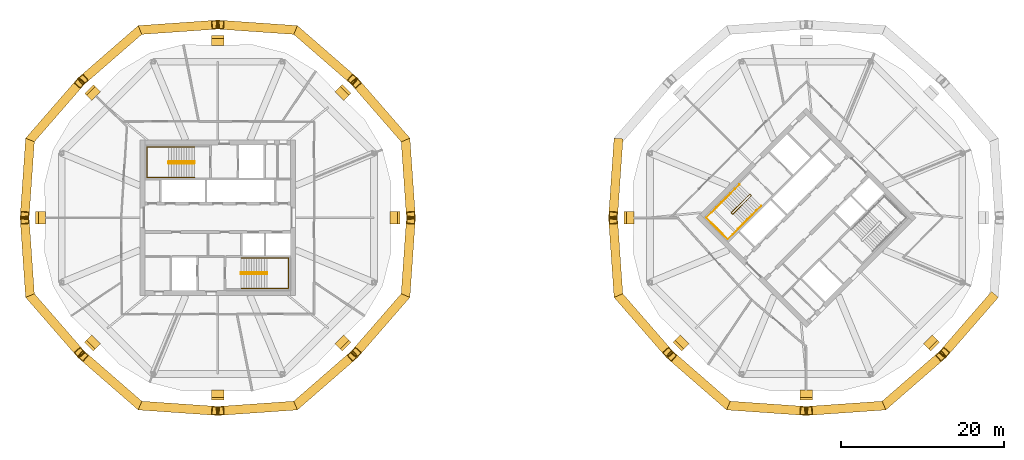
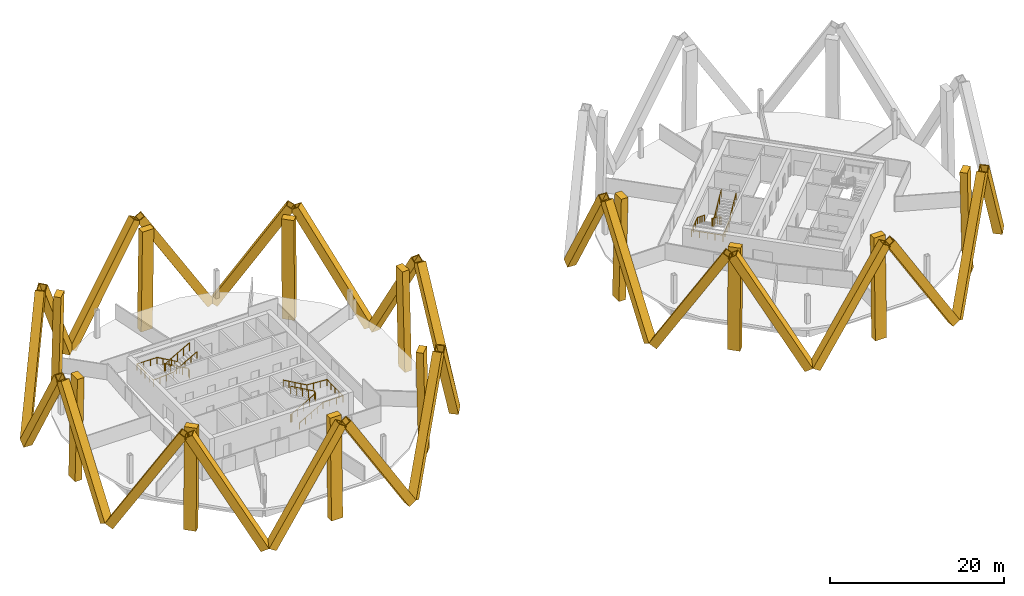
# One storey, part 9 of 10: 36 coverings, 6 railings.
"""IFC4 building model written with IfcOpenShell, lengths in metres."""

from ifc_helpers import new_model, si_unit, direction, frame, origin, origin_2d, place, context, subcontext, project, spatial, rectangle, hollow_rectangle, circle, extrude, material, material_profile, profile_set, type_object, element, save


model = new_model("IFC4")

# Units and contexts
model_context = context("Model", 3, precision=1e-05, world=origin(), true_north=direction((0.0, 1.0)))
body_context = subcontext(model_context, "Body", "Model", "MODEL_VIEW")
ifc_project = project(units=[si_unit("LENGTHUNIT", "METRE"), si_unit("AREAUNIT", "SQUARE_METRE"), si_unit("VOLUMEUNIT", "CUBIC_METRE"), si_unit("PLANEANGLEUNIT", "RADIAN"), si_unit("MASSUNIT", "GRAM", prefix="KILO")], contexts=[model_context])

# Site, building, storey
site_placement = place(None, origin())
site = spatial("IfcSite", under=ifc_project, at=site_placement, CompositionType="ELEMENT")
building_placement = place(site_placement, origin())
building = spatial("IfcBuilding", under=site, at=building_placement, Name="Ogive Gate Towers", CompositionType="ELEMENT")
storey_placement = place(building_placement, frame((0.0, 0.0, 204.60009765625)))
storey = spatial("IfcBuildingStorey", under=building, at=storey_placement, Name="L49", CompositionType="ELEMENT", Elevation=204.60009765625)

# Coverings
ifc_material_1 = material(Name="Pale metal aluminium", Category="aluminium")
ifc_material_profile_1 = material_profile(ifc_material_1, rectangle(XDim=1.5, YDim=0.89990234375, at=origin_2d()), Name="1500 x 900 pale metal aluminium")
ifc_profile_set_1 = profile_set([ifc_material_profile_1], Name="Pale metal aluminium")
covering_type_1 = type_object("IfcCoveringType", Name="Crease colonnette 1500 x 900", PredefinedType="CLADDING", material=ifc_profile_set_1)
for number, where, z_axis, x_axis, name in (
    (1, (-14.169921875, 0.0, -3.2001953125), (-0.022533991944, 0.0, 0.999746077365), (0.0, -1.0, 0.0), "Crease colonnette"),
    (2, (-20.563720703125, 15.436279296875, -3.2001953125), (-0.015933646626, -0.015933646626, 0.999746086669), (0.707106781187, -0.707106781187, 0.0), "Crease colonnette"),
    (3, (-36.0, 21.830078125, -3.2001953125), (0.0, -0.022533991944, 0.999746077365), (1.0, 0.0, 0.0), "Crease colonnette"),
    (4, (-51.436279296875, 15.436279296875, -3.2001953125), (0.015933646626, -0.015933646626, 0.999746086669), (0.707106781187, 0.707106781187, 0.0), "Crease colonnette"),
    (5, (-57.830078125, 0.0, -3.2001953125), (0.022533991944, 0.0, 0.999746077365), (0.0, 1.0, 0.0), "Crease colonnette"),
    (6, (-51.436279296875, -15.436279296875, -3.2001953125), (0.015933646626, 0.015933646626, 0.999746086669), (-0.707106781187, 0.707106781187, 0.0), "Crease colonnette"),
    (7, (-36.0, -21.830078125, -3.2001953125), (0.0, 0.022533991944, 0.999746077365), (-1.0, 0.0, 0.0), "Crease colonnette"),
    (8, (-20.563720703125, -15.436279296875, -3.2001953125), (-0.015933646626, 0.015933646626, 0.999746086669), (-0.707106781187, -0.707106781187, 0.0), "Crease colonnette"),
    (9, (14.169921875, 0.0, -3.2001953125), (0.022533991944, 0.0, 0.999746077365), (0.0, 1.0, 0.0), "Crease colonnette"),
    (10, (20.563720703125, -15.436279296875, -3.2001953125), (0.015933646626, 0.015933646626, 0.999746086669), (-0.707106781187, 0.707106781187, 0.0), "Crease colonnette"),
    (11, (36.0, -21.830078125, -3.2001953125), (0.0, 0.022533991944, 0.999746077365), (-1.0, 0.0, 0.0), "Crease colonnette"),
    (12, (51.436279296875, -15.436279296875, -3.2001953125), (-0.015933646626, 0.015933646626, 0.999746086669), (-0.707106781187, -0.707106781187, 0.0), "Crease colonnette"),
):
    element("IfcCovering", number, at=place(storey_placement, frame(where, z_axis=z_axis, x_axis=x_axis)), inside=storey, type_object=covering_type_1, Name=name, PredefinedType="CLADDING", context=body_context, shape_type="SweptSolid", body=[
        extrude(rectangle(XDim=1.5, YDim=0.89990234375, at=origin_2d()), origin(), (0.0, 0.0, 1.0), 14.203857421875),
    ])
ifc_material_2 = material(Name="Pale metal aluminium cladding", Category="aluminium")
ifc_material_profile_2 = material_profile(ifc_material_2, hollow_rectangle(XDim=1.10009765625, YDim=1.10009765625, WallThickness=0.10009765625, at=origin_2d()), Name="1100 x 1100 pale metal casing")
ifc_profile_set_2 = profile_set([ifc_material_profile_2], Name="Pale metal aluminium cladding")
covering_type_2 = type_object("IfcCoveringType", Name="Diagrid casing 1100 x 1100", PredefinedType="CLADDING", material=ifc_profile_set_2)
for number, where, z_axis, x_axis, name in (
    (13, (-13.003173828125, 9.23095703125, -3.430908203125), (0.03626745924, -0.520458638528, 0.853116332619), (0.997580900704, 0.069515081461, 0.0), "Diagrid casing"),
    (14, (-13.21142578125, 9.73388671875, -3.430908203125), (-0.342386132428, 0.393668762005, 0.853109982442), (-0.754543383753, -0.656250167264, 0.0), "Diagrid casing"),
    (15, (-26.26611328125, 22.78857421875, -3.430908203125), (0.393668762005, -0.342386132428, 0.853109982442), (0.656250167264, 0.754543383753, 0.0), "Diagrid casing"),
    (16, (-26.76904296875, 22.996826171875, -3.430908203125), (-0.520458638528, 0.03626745924, 0.853116332619), (-0.069515081461, -0.997580900704, 0.0), "Diagrid casing"),
    (17, (-45.23095703125, 22.996826171875, -3.430908203125), (0.520458638528, 0.03626745924, 0.853116332619), (-0.069515081461, 0.997580900704, 0.0), "Diagrid casing"),
    (18, (-45.73388671875, 22.78857421875, -3.430908203125), (-0.393668762005, -0.342386132428, 0.853109982442), (0.656250167264, -0.754543383753, 0.0), "Diagrid casing"),
    (19, (-58.78857421875, 9.73388671875, -3.430908203125), (0.342386132428, 0.393668762005, 0.853109982442), (-0.754543383753, 0.656250167264, 0.0), "Diagrid casing"),
    (20, (-58.996826171875, 9.23095703125, -3.430908203125), (-0.03626745924, -0.520458638528, 0.853116332619), (0.997580900704, -0.069515081461, 0.0), "Diagrid casing"),
    (21, (-58.996826171875, -9.23095703125, -3.430908203125), (-0.03626745924, 0.520458638528, 0.853116332619), (-0.997580900704, -0.069515081461, 0.0), "Diagrid casing"),
    (22, (-58.78857421875, -9.73388671875, -3.430908203125), (0.342386132428, -0.393668762005, 0.853109982442), (0.754543383753, 0.656250167264, 0.0), "Diagrid casing"),
    (23, (-45.73388671875, -22.78857421875, -3.430908203125), (-0.393668762005, 0.342386132428, 0.853109982442), (-0.656250167264, -0.754543383753, 0.0), "Diagrid casing"),
    (24, (-45.23095703125, -22.996826171875, -3.430908203125), (0.520458638528, -0.03626745924, 0.853116332619), (0.069515081461, 0.997580900704, 0.0), "Diagrid casing"),
    (25, (-26.76904296875, -22.996826171875, -3.430908203125), (-0.520458638528, -0.03626745924, 0.853116332619), (0.069515081461, -0.997580900704, 0.0), "Diagrid casing"),
    (26, (-26.26611328125, -22.78857421875, -3.430908203125), (0.393668762005, 0.342386132428, 0.853109982442), (-0.656250167264, 0.754543383753, 0.0), "Diagrid casing"),
    (27, (-13.21142578125, -9.73388671875, -3.430908203125), (-0.342386132428, -0.393668762005, 0.853109982442), (0.754543383753, -0.656250167264, 0.0), "Diagrid casing"),
    (28, (-13.003173828125, -9.23095703125, -3.430908203125), (0.03626745924, 0.520458638528, 0.853116332619), (-0.997580900704, 0.069515081461, 0.0), "Diagrid casing"),
    (29, (13.003173828125, 9.23095703125, -3.430908203125), (-0.03626745924, -0.520458638528, 0.853116332619), (0.997580900704, -0.069515081461, 0.0), "Diagrid casing"),
    (30, (13.003173828125, -9.23095703125, -3.430908203125), (-0.03626745924, 0.520458638528, 0.853116332619), (-0.997580900704, -0.069515081461, 0.0), "Diagrid casing"),
    (31, (13.21142578125, -9.73388671875, -3.430908203125), (0.342386132428, -0.393668762005, 0.853109982442), (0.754543383753, 0.656250167264, 0.0), "Diagrid casing"),
    (32, (26.26611328125, -22.78857421875, -3.430908203125), (-0.393668762005, 0.342386132428, 0.853109982442), (-0.656250167264, -0.754543383753, 0.0), "Diagrid casing"),
    (33, (26.76904296875, -22.996826171875, -3.430908203125), (0.520458638528, -0.03626745924, 0.853116332619), (0.069515081461, 0.997580900704, 0.0), "Diagrid casing"),
    (34, (45.23095703125, -22.996826171875, -3.430908203125), (-0.520458638528, -0.03626745924, 0.853116332619), (0.069515081461, -0.997580900704, 0.0), "Diagrid casing"),
    (35, (45.73388671875, -22.78857421875, -3.430908203125), (0.393668762005, 0.342386132428, 0.853109982442), (-0.656250167264, 0.754543383753, 0.0), "Diagrid casing"),
    (36, (58.78857421875, -9.73388671875, -3.430908203125), (-0.342386132428, -0.393668762005, 0.853109982442), (0.754543383753, -0.656250167264, 0.0), "Diagrid casing"),
):
    element("IfcCovering", number, at=place(storey_placement, frame(where, z_axis=z_axis, x_axis=x_axis)), inside=storey, type_object=covering_type_2, Name=name, PredefinedType="CLADDING", context=body_context, shape_type="SweptSolid", body=[
        extrude(hollow_rectangle(XDim=1.10009765625, YDim=1.10009765625, WallThickness=0.10009765625, at=origin_2d()), origin(), (0.0, 0.0, 1.0), 17.18603515625),
    ])

# Railings
ifc_material_3 = material(Name="Stainless steel", Category="steel")
railing_type_1 = type_object("IfcRailingType", Name="Stair guard 1100", PredefinedType="GUARDRAIL", material=ifc_material_3)
railing_1_placement = place(storey_placement, frame((-38.81494140625, 6.860107421875, 0.0)))
element("IfcRailing", 37, at=railing_1_placement, inside=storey, type_object=railing_type_1, Name="L49 ST1 stair guard 1", PredefinedType="GUARDRAIL", context=body_context, shape_type="SweptSolid", body=[
    extrude(circle(Radius=0.02392578125, at=origin_2d()), frame((0.0, 0.0, 1.076171875), z_axis=(0.0, -1.0, 0.0), x_axis=(1.0, 0.0, 0.0)), (0.0, 0.0, 1.0), 0.14501953125),
    extrude(circle(Radius=0.02392578125, at=origin_2d()), frame((0.0, -0.14501953125, 1.076171875), z_axis=(-0.186679794065, 0.726685247142, 0.661119660934), x_axis=(-0.968551454522, -0.24881334358, 0.0)), (0.0, 0.0, 1.0), 0.26806640625),
    extrude(circle(Radius=0.02392578125, at=origin_2d()), frame((-0.050048828125, 0.0498046875, 1.25341796875), z_axis=(-0.870572935281, 0.0, 0.492039393094), x_axis=(0.0, -1.0, 0.0)), (0.0, 0.0, 1.0), 3.602783203125),
    extrude(circle(Radius=0.02392578125, at=origin_2d()), frame((-3.1865234375, 0.0498046875, 3.02587890625), z_axis=(-0.707106781187, -0.707106781187, 0.0), x_axis=(0.707106781187, -0.707106781187, 0.0)), (0.0, 0.0, 1.0), 0.0703125),
    extrude(circle(Radius=0.02392578125, at=origin_2d()), frame((-3.236328125, 0.0, 3.02587890625), z_axis=(0.0, -1.0, 0.0), x_axis=(1.0, 0.0, 0.0)), (0.0, 0.0, 1.0), 0.14501953125),
    extrude(circle(Radius=0.02392578125, at=origin_2d()), frame((-3.236328125, -0.14501953125, 3.02587890625), z_axis=(0.261041864531, -0.262321481514, 0.929001929653), x_axis=(0.708833529934, 0.705375805398, 0.0)), (0.0, 0.0, 1.0), 0.190673828125),
    extrude(circle(Radius=0.02392578125, at=origin_2d()), frame((-3.1865234375, -0.195068359375, 3.203125), z_axis=(0.870572935281, 0.0, 0.492039393094), x_axis=(0.0, 1.0, 0.0)), (0.0, 0.0, 1.0), 3.602783203125),
    extrude(circle(Radius=0.02099609375, at=origin_2d()), origin(), (0.0, 0.0, 1.0), 1.052001953125),
    extrude(circle(Radius=0.02099609375, at=origin_2d()), frame((0.0, -0.14501953125, 0.0)), (0.0, 0.0, 1.0), 1.052001953125),
    extrude(circle(Radius=0.02099609375, at=origin_2d()), frame((-0.050048828125, 0.0498046875, 0.17724609375)), (0.0, 0.0, 1.0), 1.052001953125),
    extrude(circle(Radius=0.02099609375, at=origin_2d()), frame((-0.834228515625, 0.0498046875, 0.620361328125)), (0.0, 0.0, 1.0), 1.052001953125),
    extrude(circle(Radius=0.02099609375, at=origin_2d()), frame((-1.6181640625, 0.0498046875, 1.0634765625)), (0.0, 0.0, 1.0), 1.052001953125),
    extrude(circle(Radius=0.02099609375, at=origin_2d()), frame((-2.40234375, 0.0498046875, 1.5068359375)), (0.0, 0.0, 1.0), 1.052001953125),
    extrude(circle(Radius=0.02099609375, at=origin_2d()), frame((-3.1865234375, 0.0498046875, 1.949951171875)), (0.0, 0.0, 1.0), 1.052001953125),
    extrude(circle(Radius=0.02099609375, at=origin_2d()), frame((-3.236328125, 0.0, 1.949951171875)), (0.0, 0.0, 1.0), 1.052001953125),
    extrude(circle(Radius=0.02099609375, at=origin_2d()), frame((-3.236328125, -0.14501953125, 1.949951171875)), (0.0, 0.0, 1.0), 1.052001953125),
    extrude(circle(Radius=0.02099609375, at=origin_2d()), frame((-3.1865234375, -0.195068359375, 2.127197265625)), (0.0, 0.0, 1.0), 1.052001953125),
    extrude(circle(Radius=0.02099609375, at=origin_2d()), frame((-2.40234375, -0.195068359375, 2.5703125)), (0.0, 0.0, 1.0), 1.052001953125),
    extrude(circle(Radius=0.02099609375, at=origin_2d()), frame((-1.6181640625, -0.195068359375, 3.013671875)), (0.0, 0.0, 1.0), 1.052001953125),
    extrude(circle(Radius=0.02099609375, at=origin_2d()), frame((-0.834228515625, -0.195068359375, 3.456787109375)), (0.0, 0.0, 1.0), 1.052001953125),
    extrude(circle(Radius=0.02099609375, at=origin_2d()), frame((-0.050048828125, -0.195068359375, 3.89990234375)), (0.0, 0.0, 1.0), 1.052001953125),
])
railing_2_placement = place(storey_placement, frame((-33.18505859375, -6.860107421875, 0.0)))
element("IfcRailing", 38, at=railing_2_placement, inside=storey, type_object=railing_type_1, Name="L49 ST2 stair guard 1", PredefinedType="GUARDRAIL", context=body_context, shape_type="SweptSolid", body=[
    extrude(circle(Radius=0.02392578125, at=origin_2d()), frame((0.0, 0.0, 1.076171875), z_axis=(0.0, 1.0, 0.0), x_axis=(-1.0, 0.0, 0.0)), (0.0, 0.0, 1.0), 0.14501953125),
    extrude(circle(Radius=0.02392578125, at=origin_2d()), frame((0.0, 0.14501953125, 1.076171875), z_axis=(0.186679794065, -0.726685247142, 0.661119660934), x_axis=(0.968551454522, 0.24881334358, 0.0)), (0.0, 0.0, 1.0), 0.26806640625),
    extrude(circle(Radius=0.02392578125, at=origin_2d()), frame((0.050048828125, -0.0498046875, 1.25341796875), z_axis=(0.870572935281, 0.0, 0.492039393094), x_axis=(0.0, 1.0, 0.0)), (0.0, 0.0, 1.0), 3.602783203125),
    extrude(circle(Radius=0.02392578125, at=origin_2d()), frame((3.1865234375, -0.0498046875, 3.02587890625), z_axis=(0.707106781187, 0.707106781187, 0.0), x_axis=(-0.707106781187, 0.707106781187, 0.0)), (0.0, 0.0, 1.0), 0.0703125),
    extrude(circle(Radius=0.02392578125, at=origin_2d()), frame((3.236328125, 0.0, 3.02587890625), z_axis=(0.0, 1.0, 0.0), x_axis=(-1.0, 0.0, 0.0)), (0.0, 0.0, 1.0), 0.14501953125),
    extrude(circle(Radius=0.02392578125, at=origin_2d()), frame((3.236328125, 0.14501953125, 3.02587890625), z_axis=(-0.261041864531, 0.262321481514, 0.929001929653), x_axis=(-0.708833529934, -0.705375805398, 0.0)), (0.0, 0.0, 1.0), 0.190673828125),
    extrude(circle(Radius=0.02392578125, at=origin_2d()), frame((3.1865234375, 0.195068359375, 3.203125), z_axis=(-0.870572935281, 0.0, 0.492039393094), x_axis=(0.0, -1.0, 0.0)), (0.0, 0.0, 1.0), 3.602783203125),
    extrude(circle(Radius=0.02099609375, at=origin_2d()), origin(), (0.0, 0.0, 1.0), 1.052001953125),
    extrude(circle(Radius=0.02099609375, at=origin_2d()), frame((0.0, 0.14501953125, 0.0)), (0.0, 0.0, 1.0), 1.052001953125),
    extrude(circle(Radius=0.02099609375, at=origin_2d()), frame((0.050048828125, -0.0498046875, 0.17724609375)), (0.0, 0.0, 1.0), 1.052001953125),
    extrude(circle(Radius=0.02099609375, at=origin_2d()), frame((0.834228515625, -0.0498046875, 0.620361328125)), (0.0, 0.0, 1.0), 1.052001953125),
    extrude(circle(Radius=0.02099609375, at=origin_2d()), frame((1.6181640625, -0.0498046875, 1.0634765625)), (0.0, 0.0, 1.0), 1.052001953125),
    extrude(circle(Radius=0.02099609375, at=origin_2d()), frame((2.40234375, -0.0498046875, 1.5068359375)), (0.0, 0.0, 1.0), 1.052001953125),
    extrude(circle(Radius=0.02099609375, at=origin_2d()), frame((3.1865234375, -0.0498046875, 1.949951171875)), (0.0, 0.0, 1.0), 1.052001953125),
    extrude(circle(Radius=0.02099609375, at=origin_2d()), frame((3.236328125, 0.0, 1.949951171875)), (0.0, 0.0, 1.0), 1.052001953125),
    extrude(circle(Radius=0.02099609375, at=origin_2d()), frame((3.236328125, 0.14501953125, 1.949951171875)), (0.0, 0.0, 1.0), 1.052001953125),
    extrude(circle(Radius=0.02099609375, at=origin_2d()), frame((3.1865234375, 0.195068359375, 2.127197265625)), (0.0, 0.0, 1.0), 1.052001953125),
    extrude(circle(Radius=0.02099609375, at=origin_2d()), frame((2.40234375, 0.195068359375, 2.5703125)), (0.0, 0.0, 1.0), 1.052001953125),
    extrude(circle(Radius=0.02099609375, at=origin_2d()), frame((1.6181640625, 0.195068359375, 3.013671875)), (0.0, 0.0, 1.0), 1.052001953125),
    extrude(circle(Radius=0.02099609375, at=origin_2d()), frame((0.834228515625, 0.195068359375, 3.456787109375)), (0.0, 0.0, 1.0), 1.052001953125),
    extrude(circle(Radius=0.02099609375, at=origin_2d()), frame((0.050048828125, 0.195068359375, 3.89990234375)), (0.0, 0.0, 1.0), 1.052001953125),
])
railing_3_placement = place(storey_placement, frame((29.15869140625, 2.8603515625, 0.0)))
element("IfcRailing", 39, at=railing_3_placement, inside=storey, type_object=railing_type_1, Name="L49 ST1 stair guard 1", PredefinedType="GUARDRAIL", context=body_context, shape_type="SweptSolid", body=[
    extrude(circle(Radius=0.02392578125, at=origin_2d()), frame((0.0, 0.0, 1.076171875), z_axis=(0.707106781187, -0.707106781187, 0.0), x_axis=(0.707106781187, 0.707106781187, 0.0)), (0.0, 0.0, 1.0), 0.14501953125),
    extrude(circle(Radius=0.02392578125, at=origin_2d()), frame((0.1025390625, -0.1025390625, 1.076171875), z_axis=(-0.645571447971, 0.382425963537, 0.661050594114), x_axis=(-0.509669330572, -0.860370369942, 0.0)), (0.0, 0.0, 1.0), 0.26806640625),
    extrude(circle(Radius=0.02392578125, at=origin_2d()), frame((-0.070556640625, 0.0, 1.25341796875), z_axis=(-0.61558473135, -0.61558473135, 0.49204763698), x_axis=(0.707106781187, -0.707106781187, 0.0)), (0.0, 0.0, 1.0), 3.602783203125),
    extrude(circle(Radius=0.02392578125, at=origin_2d()), frame((-2.288330078125, -2.2177734375, 3.02587890625), z_axis=(0.0, -1.0, 0.0), x_axis=(1.0, 0.0, 0.0)), (0.0, 0.0, 1.0), 0.07080078125),
    extrude(circle(Radius=0.02392578125, at=origin_2d()), frame((-2.288330078125, -2.28857421875, 3.02587890625), z_axis=(0.707106781187, -0.707106781187, 0.0), x_axis=(0.707106781187, 0.707106781187, 0.0)), (0.0, 0.0, 1.0), 0.14501953125),
    extrude(circle(Radius=0.02392578125, at=origin_2d()), frame((-2.185791015625, -2.39111328125, 3.02587890625), z_axis=(0.369845645421, 0.0, 0.929093213065), x_axis=(0.0, 1.0, 0.0)), (0.0, 0.0, 1.0), 0.190673828125),
    extrude(circle(Radius=0.02392578125, at=origin_2d()), frame((-2.115234375, -2.39111328125, 3.203125), z_axis=(0.61558473135, 0.61558473135, 0.49204763698), x_axis=(-0.707106781187, 0.707106781187, 0.0)), (0.0, 0.0, 1.0), 3.602783203125),
    extrude(circle(Radius=0.02099609375, at=origin_2d()), origin(), (0.0, 0.0, 1.0), 1.052001953125),
    extrude(circle(Radius=0.02099609375, at=origin_2d()), frame((0.1025390625, -0.1025390625, 0.0)), (0.0, 0.0, 1.0), 1.052001953125),
    extrude(circle(Radius=0.02099609375, at=origin_2d()), frame((-0.070556640625, 0.0, 0.17724609375)), (0.0, 0.0, 1.0), 1.052001953125),
    extrude(circle(Radius=0.02099609375, at=origin_2d()), frame((-0.625, -0.554443359375, 0.620361328125)), (0.0, 0.0, 1.0), 1.052001953125),
    extrude(circle(Radius=0.02099609375, at=origin_2d()), frame((-1.179443359375, -1.10888671875, 1.0634765625)), (0.0, 0.0, 1.0), 1.052001953125),
    extrude(circle(Radius=0.02099609375, at=origin_2d()), frame((-1.73388671875, -1.663330078125, 1.5068359375)), (0.0, 0.0, 1.0), 1.052001953125),
    extrude(circle(Radius=0.02099609375, at=origin_2d()), frame((-2.288330078125, -2.2177734375, 1.949951171875)), (0.0, 0.0, 1.0), 1.052001953125),
    extrude(circle(Radius=0.02099609375, at=origin_2d()), frame((-2.288330078125, -2.28857421875, 1.949951171875)), (0.0, 0.0, 1.0), 1.052001953125),
    extrude(circle(Radius=0.02099609375, at=origin_2d()), frame((-2.185791015625, -2.39111328125, 1.949951171875)), (0.0, 0.0, 1.0), 1.052001953125),
    extrude(circle(Radius=0.02099609375, at=origin_2d()), frame((-2.115234375, -2.39111328125, 2.127197265625)), (0.0, 0.0, 1.0), 1.052001953125),
    extrude(circle(Radius=0.02099609375, at=origin_2d()), frame((-1.560791015625, -1.836669921875, 2.5703125)), (0.0, 0.0, 1.0), 1.052001953125),
    extrude(circle(Radius=0.02099609375, at=origin_2d()), frame((-1.00634765625, -1.2822265625, 3.013671875)), (0.0, 0.0, 1.0), 1.052001953125),
    extrude(circle(Radius=0.02099609375, at=origin_2d()), frame((-0.451904296875, -0.727783203125, 3.456787109375)), (0.0, 0.0, 1.0), 1.052001953125),
    extrude(circle(Radius=0.02099609375, at=origin_2d()), frame((0.1025390625, -0.17333984375, 3.89990234375)), (0.0, 0.0, 1.0), 1.052001953125),
])
railing_type_2 = type_object("IfcRailingType", Name="Stair handrail 900", PredefinedType="HANDRAIL", material=ifc_material_3)
railing_4_placement = place(storey_placement, frame((-38.864990234375, 8.64990234375, 0.17724609375)))
element("IfcRailing", 40, at=railing_4_placement, inside=storey, type_object=railing_type_2, Name="L49 ST1 stair handrail 1", PredefinedType="HANDRAIL", context=body_context, shape_type="SweptSolid", body=[
    extrude(circle(Radius=0.02392578125, at=origin_2d()), frame((0.0, 0.0, 0.8759765625), z_axis=(-0.870572935281, 0.0, 0.492039393094), x_axis=(0.0, -1.0, 0.0)), (0.0, 0.0, 1.0), 3.602783203125),
    extrude(circle(Radius=0.02392578125, at=origin_2d()), frame((-3.136474609375, 0.0, 2.6484375), z_axis=(-1.0, 0.0, 0.0), x_axis=(0.0, -1.0, 0.0)), (0.0, 0.0, 1.0), 2.6484375),
    extrude(circle(Radius=0.02392578125, at=origin_2d()), frame((-5.784912109375, 0.0, 2.6484375), z_axis=(0.0, -1.0, 0.0), x_axis=(1.0, 0.0, 0.0)), (0.0, 0.0, 1.0), 3.724853515625),
    extrude(circle(Radius=0.02392578125, at=origin_2d()), frame((-5.784912109375, -3.724853515625, 2.6484375), z_axis=(0.997768031817, 0.0, 0.066775404784), x_axis=(0.0, 1.0, 0.0)), (0.0, 0.0, 1.0), 2.654296875),
    extrude(circle(Radius=0.02392578125, at=origin_2d()), frame((-3.136474609375, -3.724853515625, 2.82568359375), z_axis=(0.870572935281, 0.0, 0.492039393094), x_axis=(0.0, 1.0, 0.0)), (0.0, 0.0, 1.0), 3.602783203125),
    extrude(circle(Radius=0.02099609375, at=origin_2d()), origin(), (0.0, 0.0, 1.0), 0.851806640625),
    extrude(circle(Radius=0.02099609375, at=origin_2d()), frame((-0.7841796875, 0.0, 0.443115234375)), (0.0, 0.0, 1.0), 0.851806640625),
    extrude(circle(Radius=0.02099609375, at=origin_2d()), frame((-1.568359375, 0.0, 0.88623046875)), (0.0, 0.0, 1.0), 0.851806640625),
    extrude(circle(Radius=0.02099609375, at=origin_2d()), frame((-2.352294921875, 0.0, 1.32958984375)), (0.0, 0.0, 1.0), 0.851806640625),
    extrude(circle(Radius=0.02099609375, at=origin_2d()), frame((-3.136474609375, 0.0, 1.772705078125)), (0.0, 0.0, 1.0), 0.851806640625),
    extrude(circle(Radius=0.02099609375, at=origin_2d()), frame((-4.019287109375, 0.0, 1.772705078125)), (0.0, 0.0, 1.0), 0.851806640625),
    extrude(circle(Radius=0.02099609375, at=origin_2d()), frame((-4.902099609375, 0.0, 1.772705078125)), (0.0, 0.0, 1.0), 0.851806640625),
    extrude(circle(Radius=0.02099609375, at=origin_2d()), frame((-5.784912109375, 0.0, 1.772705078125)), (0.0, 0.0, 1.0), 0.851806640625),
    extrude(circle(Radius=0.02099609375, at=origin_2d()), frame((-5.784912109375, -0.93115234375, 1.772705078125)), (0.0, 0.0, 1.0), 0.851806640625),
    extrude(circle(Radius=0.02099609375, at=origin_2d()), frame((-5.784912109375, -1.8623046875, 1.772705078125)), (0.0, 0.0, 1.0), 0.851806640625),
    extrude(circle(Radius=0.02099609375, at=origin_2d()), frame((-5.784912109375, -2.793701171875, 1.772705078125)), (0.0, 0.0, 1.0), 0.851806640625),
    extrude(circle(Radius=0.02099609375, at=origin_2d()), frame((-5.784912109375, -3.724853515625, 1.772705078125)), (0.0, 0.0, 1.0), 0.851806640625),
    extrude(circle(Radius=0.02099609375, at=origin_2d()), frame((-4.902099609375, -3.724853515625, 1.831787109375)), (0.0, 0.0, 1.0), 0.851806640625),
    extrude(circle(Radius=0.02099609375, at=origin_2d()), frame((-4.019287109375, -3.724853515625, 1.890869140625)), (0.0, 0.0, 1.0), 0.851806640625),
    extrude(circle(Radius=0.02099609375, at=origin_2d()), frame((-3.136474609375, -3.724853515625, 1.949951171875)), (0.0, 0.0, 1.0), 0.851806640625),
    extrude(circle(Radius=0.02099609375, at=origin_2d()), frame((-2.352294921875, -3.724853515625, 2.39306640625)), (0.0, 0.0, 1.0), 0.851806640625),
    extrude(circle(Radius=0.02099609375, at=origin_2d()), frame((-1.568359375, -3.724853515625, 2.83642578125)), (0.0, 0.0, 1.0), 0.851806640625),
    extrude(circle(Radius=0.02099609375, at=origin_2d()), frame((-0.7841796875, -3.724853515625, 3.279541015625)), (0.0, 0.0, 1.0), 0.851806640625),
    extrude(circle(Radius=0.02099609375, at=origin_2d()), frame((0.0, -3.724853515625, 3.72265625)), (0.0, 0.0, 1.0), 0.851806640625),
])
railing_5_placement = place(storey_placement, frame((-33.135009765625, -8.64990234375, 0.17724609375)))
element("IfcRailing", 41, at=railing_5_placement, inside=storey, type_object=railing_type_2, Name="L49 ST2 stair handrail 1", PredefinedType="HANDRAIL", context=body_context, shape_type="SweptSolid", body=[
    extrude(circle(Radius=0.02392578125, at=origin_2d()), frame((0.0, 0.0, 0.8759765625), z_axis=(0.870572935281, 0.0, 0.492039393094), x_axis=(0.0, 1.0, 0.0)), (0.0, 0.0, 1.0), 3.602783203125),
    extrude(circle(Radius=0.02392578125, at=origin_2d()), frame((3.136474609375, 0.0, 2.6484375), z_axis=(1.0, 0.0, 0.0), x_axis=(0.0, 1.0, 0.0)), (0.0, 0.0, 1.0), 2.6484375),
    extrude(circle(Radius=0.02392578125, at=origin_2d()), frame((5.784912109375, 0.0, 2.6484375), z_axis=(0.0, 1.0, 0.0), x_axis=(-1.0, 0.0, 0.0)), (0.0, 0.0, 1.0), 3.724853515625),
    extrude(circle(Radius=0.02392578125, at=origin_2d()), frame((5.784912109375, 3.724853515625, 2.6484375), z_axis=(-0.997768031817, 0.0, 0.066775404784), x_axis=(0.0, -1.0, 0.0)), (0.0, 0.0, 1.0), 2.654296875),
    extrude(circle(Radius=0.02392578125, at=origin_2d()), frame((3.136474609375, 3.724853515625, 2.82568359375), z_axis=(-0.870572935281, 0.0, 0.492039393094), x_axis=(0.0, -1.0, 0.0)), (0.0, 0.0, 1.0), 3.602783203125),
    extrude(circle(Radius=0.02099609375, at=origin_2d()), origin(), (0.0, 0.0, 1.0), 0.851806640625),
    extrude(circle(Radius=0.02099609375, at=origin_2d()), frame((0.7841796875, 0.0, 0.443115234375)), (0.0, 0.0, 1.0), 0.851806640625),
    extrude(circle(Radius=0.02099609375, at=origin_2d()), frame((1.568359375, 0.0, 0.88623046875)), (0.0, 0.0, 1.0), 0.851806640625),
    extrude(circle(Radius=0.02099609375, at=origin_2d()), frame((2.352294921875, 0.0, 1.32958984375)), (0.0, 0.0, 1.0), 0.851806640625),
    extrude(circle(Radius=0.02099609375, at=origin_2d()), frame((3.136474609375, 0.0, 1.772705078125)), (0.0, 0.0, 1.0), 0.851806640625),
    extrude(circle(Radius=0.02099609375, at=origin_2d()), frame((4.019287109375, 0.0, 1.772705078125)), (0.0, 0.0, 1.0), 0.851806640625),
    extrude(circle(Radius=0.02099609375, at=origin_2d()), frame((4.902099609375, 0.0, 1.772705078125)), (0.0, 0.0, 1.0), 0.851806640625),
    extrude(circle(Radius=0.02099609375, at=origin_2d()), frame((5.784912109375, 0.0, 1.772705078125)), (0.0, 0.0, 1.0), 0.851806640625),
    extrude(circle(Radius=0.02099609375, at=origin_2d()), frame((5.784912109375, 0.93115234375, 1.772705078125)), (0.0, 0.0, 1.0), 0.851806640625),
    extrude(circle(Radius=0.02099609375, at=origin_2d()), frame((5.784912109375, 1.8623046875, 1.772705078125)), (0.0, 0.0, 1.0), 0.851806640625),
    extrude(circle(Radius=0.02099609375, at=origin_2d()), frame((5.784912109375, 2.793701171875, 1.772705078125)), (0.0, 0.0, 1.0), 0.851806640625),
    extrude(circle(Radius=0.02099609375, at=origin_2d()), frame((5.784912109375, 3.724853515625, 1.772705078125)), (0.0, 0.0, 1.0), 0.851806640625),
    extrude(circle(Radius=0.02099609375, at=origin_2d()), frame((4.902099609375, 3.724853515625, 1.831787109375)), (0.0, 0.0, 1.0), 0.851806640625),
    extrude(circle(Radius=0.02099609375, at=origin_2d()), frame((4.019287109375, 3.724853515625, 1.890869140625)), (0.0, 0.0, 1.0), 0.851806640625),
    extrude(circle(Radius=0.02099609375, at=origin_2d()), frame((3.136474609375, 3.724853515625, 1.949951171875)), (0.0, 0.0, 1.0), 0.851806640625),
    extrude(circle(Radius=0.02099609375, at=origin_2d()), frame((2.352294921875, 3.724853515625, 2.39306640625)), (0.0, 0.0, 1.0), 0.851806640625),
    extrude(circle(Radius=0.02099609375, at=origin_2d()), frame((1.568359375, 3.724853515625, 2.83642578125)), (0.0, 0.0, 1.0), 0.851806640625),
    extrude(circle(Radius=0.02099609375, at=origin_2d()), frame((0.7841796875, 3.724853515625, 3.279541015625)), (0.0, 0.0, 1.0), 0.851806640625),
    extrude(circle(Radius=0.02099609375, at=origin_2d()), frame((0.0, 3.724853515625, 3.72265625)), (0.0, 0.0, 1.0), 0.851806640625),
])
railing_6_placement = place(storey_placement, frame((27.857666015625, 4.090576171875, 0.17724609375)))
element("IfcRailing", 42, at=railing_6_placement, inside=storey, type_object=railing_type_2, Name="L49 ST1 stair handrail 1", PredefinedType="HANDRAIL", context=body_context, shape_type="SweptSolid", body=[
    extrude(circle(Radius=0.02392578125, at=origin_2d()), frame((0.0, 0.0, 0.8759765625), z_axis=(-0.61558473135, -0.61558473135, 0.49204763698), x_axis=(0.707106781187, -0.707106781187, 0.0)), (0.0, 0.0, 1.0), 3.602783203125),
    extrude(circle(Radius=0.02392578125, at=origin_2d()), frame((-2.2177734375, -2.2177734375, 2.6484375), z_axis=(-0.707106781187, -0.707106781187, 0.0), x_axis=(0.707106781187, -0.707106781187, 0.0)), (0.0, 0.0, 1.0), 2.6484375),
    extrude(circle(Radius=0.02392578125, at=origin_2d()), frame((-4.090576171875, -4.090576171875, 2.6484375), z_axis=(0.707106781187, -0.707106781187, 0.0), x_axis=(0.707106781187, 0.707106781187, 0.0)), (0.0, 0.0, 1.0), 3.72509765625),
    extrude(circle(Radius=0.02392578125, at=origin_2d()), frame((-1.45654296875, -6.724609375, 2.6484375), z_axis=(0.705482886452, 0.705574853978, 0.066768423356), x_axis=(-0.70715286629, 0.70706069308, 0.0)), (0.0, 0.0, 1.0), 2.654541015625),
    extrude(circle(Radius=0.02392578125, at=origin_2d()), frame((0.416259765625, -4.8515625, 2.82568359375), z_axis=(0.615610411033, 0.615542642384, 0.4920681632), x_axis=(-0.70706785752, 0.70714570271, 0.0)), (0.0, 0.0, 1.0), 3.6025390625),
    extrude(circle(Radius=0.02099609375, at=origin_2d()), origin(), (0.0, 0.0, 1.0), 0.851806640625),
    extrude(circle(Radius=0.02099609375, at=origin_2d()), frame((-0.554443359375, -0.554443359375, 0.443115234375)), (0.0, 0.0, 1.0), 0.851806640625),
    extrude(circle(Radius=0.02099609375, at=origin_2d()), frame((-1.10888671875, -1.10888671875, 0.88623046875)), (0.0, 0.0, 1.0), 0.851806640625),
    extrude(circle(Radius=0.02099609375, at=origin_2d()), frame((-1.663330078125, -1.663330078125, 1.32958984375)), (0.0, 0.0, 1.0), 0.851806640625),
    extrude(circle(Radius=0.02099609375, at=origin_2d()), frame((-2.2177734375, -2.2177734375, 1.772705078125)), (0.0, 0.0, 1.0), 0.851806640625),
    extrude(circle(Radius=0.02099609375, at=origin_2d()), frame((-2.842041015625, -2.842041015625, 1.772705078125)), (0.0, 0.0, 1.0), 0.851806640625),
    extrude(circle(Radius=0.02099609375, at=origin_2d()), frame((-3.46630859375, -3.46630859375, 1.772705078125)), (0.0, 0.0, 1.0), 0.851806640625),
    extrude(circle(Radius=0.02099609375, at=origin_2d()), frame((-4.090576171875, -4.090576171875, 1.772705078125)), (0.0, 0.0, 1.0), 0.851806640625),
    extrude(circle(Radius=0.02099609375, at=origin_2d()), frame((-3.43212890625, -4.7490234375, 1.772705078125)), (0.0, 0.0, 1.0), 0.851806640625),
    extrude(circle(Radius=0.02099609375, at=origin_2d()), frame((-2.7734375, -5.40771484375, 1.772705078125)), (0.0, 0.0, 1.0), 0.851806640625),
    extrude(circle(Radius=0.02099609375, at=origin_2d()), frame((-2.114990234375, -6.066162109375, 1.772705078125)), (0.0, 0.0, 1.0), 0.851806640625),
    extrude(circle(Radius=0.02099609375, at=origin_2d()), frame((-1.45654296875, -6.724609375, 1.772705078125)), (0.0, 0.0, 1.0), 0.851806640625),
    extrude(circle(Radius=0.02099609375, at=origin_2d()), frame((-0.832275390625, -6.100341796875, 1.831787109375)), (0.0, 0.0, 1.0), 0.851806640625),
    extrude(circle(Radius=0.02099609375, at=origin_2d()), frame((-0.2080078125, -5.475830078125, 1.890869140625)), (0.0, 0.0, 1.0), 0.851806640625),
    extrude(circle(Radius=0.02099609375, at=origin_2d()), frame((0.416259765625, -4.8515625, 1.949951171875)), (0.0, 0.0, 1.0), 0.851806640625),
    extrude(circle(Radius=0.02099609375, at=origin_2d()), frame((0.970703125, -4.297119140625, 2.39306640625)), (0.0, 0.0, 1.0), 0.851806640625),
    extrude(circle(Radius=0.02099609375, at=origin_2d()), frame((1.525146484375, -3.74267578125, 2.83642578125)), (0.0, 0.0, 1.0), 0.851806640625),
    extrude(circle(Radius=0.02099609375, at=origin_2d()), frame((2.07958984375, -3.1884765625, 3.279541015625)), (0.0, 0.0, 1.0), 0.851806640625),
    extrude(circle(Radius=0.02099609375, at=origin_2d()), frame((2.634033203125, -2.634033203125, 3.72265625)), (0.0, 0.0, 1.0), 0.851806640625),
])

save(model, "model.ifc")
